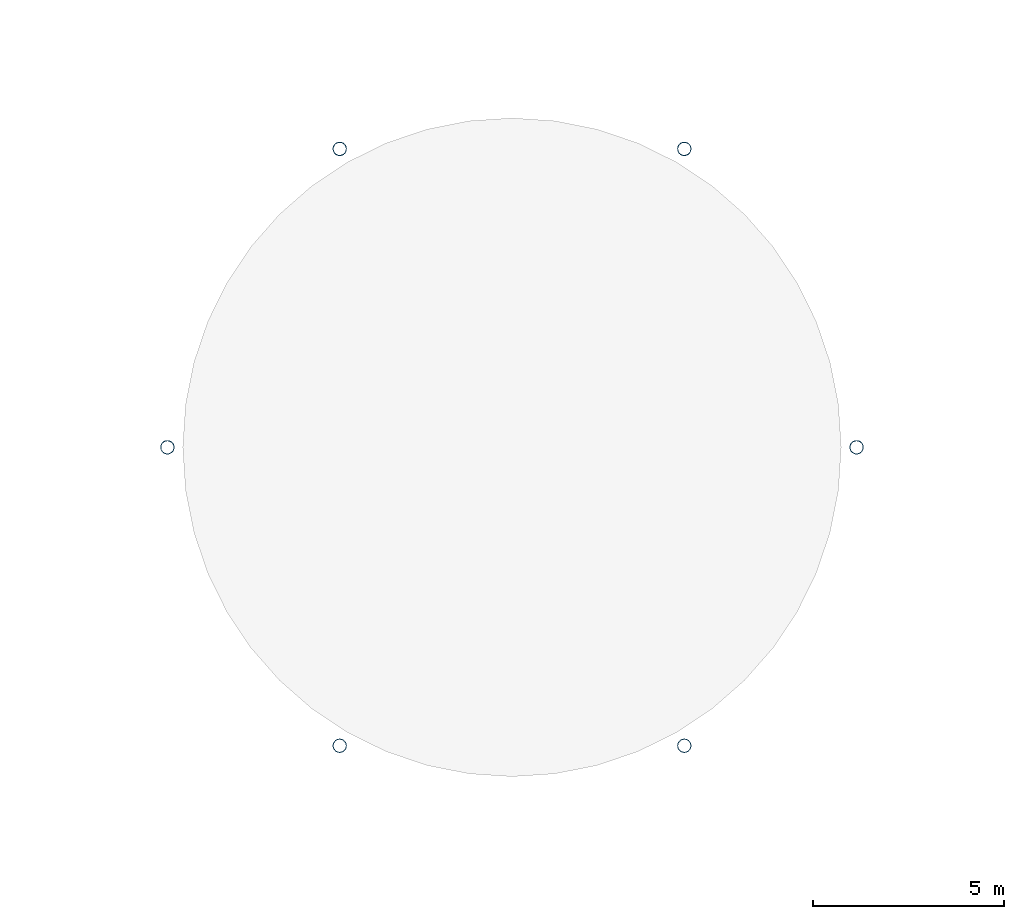
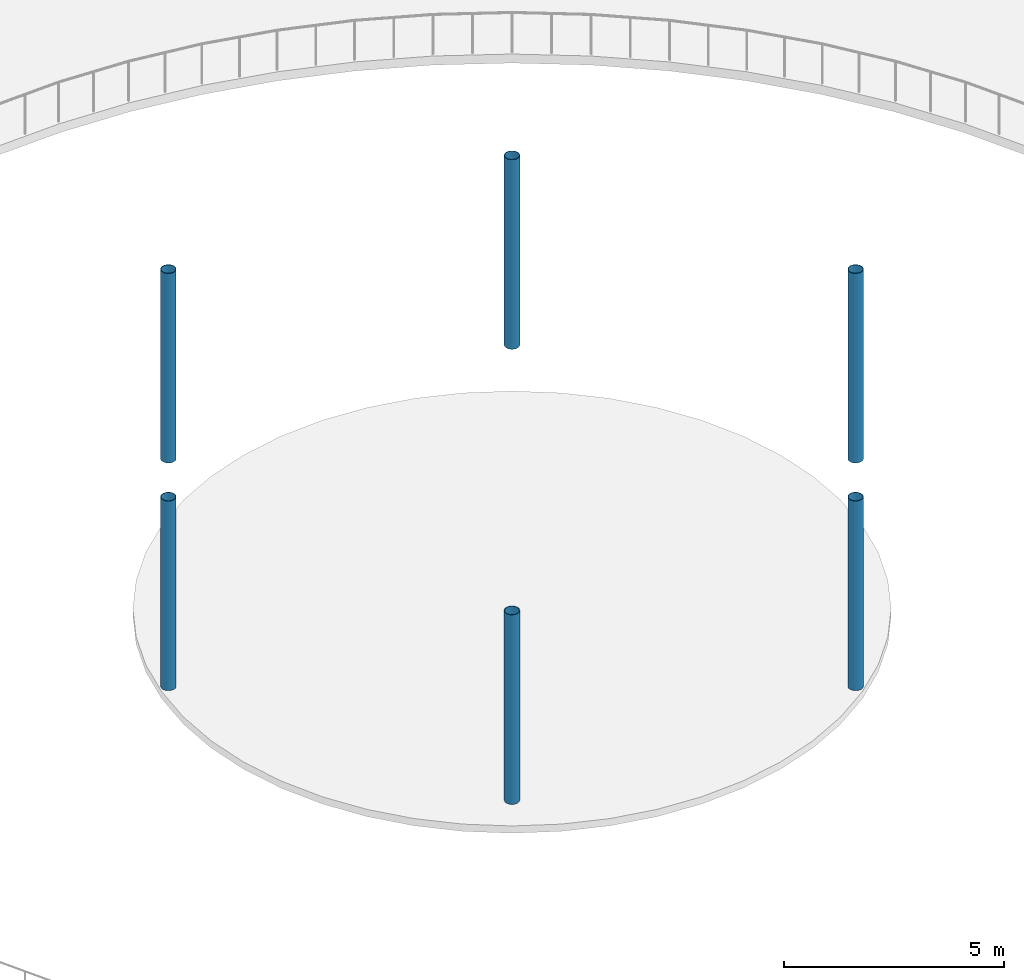
# One storey, part 7 of 168: 6 columns.
"""IFC4 building model written with IfcOpenShell, lengths in metres."""

from ifc_helpers import new_model, si_unit, direction, frame, origin, origin_2d, place, context, subcontext, project, spatial, hollow_circle, extrude, material, material_profile, profile_set, type_object, element, save


model = new_model("IFC4")

# Units and contexts
model_context = context("Model", 3, precision=1e-05, world=origin(), true_north=direction((0.0, 1.0)))
body_context = subcontext(model_context, "Body", "Model", "MODEL_VIEW")
ifc_project = project(units=[si_unit("LENGTHUNIT", "METRE"), si_unit("AREAUNIT", "SQUARE_METRE"), si_unit("VOLUMEUNIT", "CUBIC_METRE"), si_unit("PLANEANGLEUNIT", "RADIAN"), si_unit("MASSUNIT", "GRAM", prefix="KILO")], contexts=[model_context])

# Site, building, storey
site_placement = place(None, origin())
site = spatial("IfcSite", under=ifc_project, at=site_placement, CompositionType="ELEMENT")
building_placement = place(site_placement, origin())
building = spatial("IfcBuilding", under=site, at=building_placement, Name="Almandine Court Research Institute", CompositionType="ELEMENT")
storey_placement = place(building_placement, origin())
storey = spatial("IfcBuildingStorey", under=building, at=storey_placement, Name="L00", CompositionType="ELEMENT", Elevation=0.0)

# Columns
ifc_material = material(Name="Steel ASTM A500 Grade C", Category="steel")
ifc_material_profile = material_profile(ifc_material, hollow_circle(Radius=0.177978515625, WallThickness=0.011962890625, at=origin_2d()), Name="CHS 356x12")
ifc_profile_set = profile_set([ifc_material_profile], Name="Steel ASTM A500 Grade C")
column_type = type_object("IfcColumnType", Name="Col-C-AT1", PredefinedType="COLUMN", material=ifc_profile_set)
for number, where, z_axis, x_axis, name in (
    (1, (96.0, 56.0, 0.0), (0.0, 0.0, 1.0), (1.0, 0.0, 0.0), "L00 V2-IN Column V2-OCU-C1"),
    (2, (91.5, 63.7939453125, 0.0), (0.0, 0.0, 1.0), (1.0, 0.0, 0.0), "L00 V2-IN Column V2-OCU-C2"),
    (3, (82.5, 63.7939453125, 0.0), (0.0, 0.0, 1.0), (1.0, 0.0, 0.0), "L00 V2-IN Column V2-OCU-C3"),
    (4, (78.0, 56.0, 0.0), (0.0, 0.0, 1.0), (1.0, 0.0, 0.0), "L00 V2-IN Column V2-OCU-C4"),
    (5, (82.5, 48.2060546875, 0.0), (0.0, 0.0, 1.0), (1.0, 0.0, 0.0), "L00 V2-IN Column V2-OCU-C5"),
    (6, (91.5, 48.2060546875, 0.0), (0.0, 0.0, 1.0), (1.0, 0.0, 0.0), "L00 V2-IN Column V2-OCU-C6"),
):
    element("IfcColumn", number, at=place(storey_placement, frame(where, z_axis=z_axis, x_axis=x_axis)), inside=storey, type_object=column_type, Name=name, PredefinedType="COLUMN", context=body_context, shape_type="SweptSolid", body=[
        extrude(hollow_circle(Radius=0.177978515625, WallThickness=0.011962890625, at=origin_2d()), origin(), (0.0, 0.0, 1.0), 5.25),
    ])

save(model, "model.ifc")
